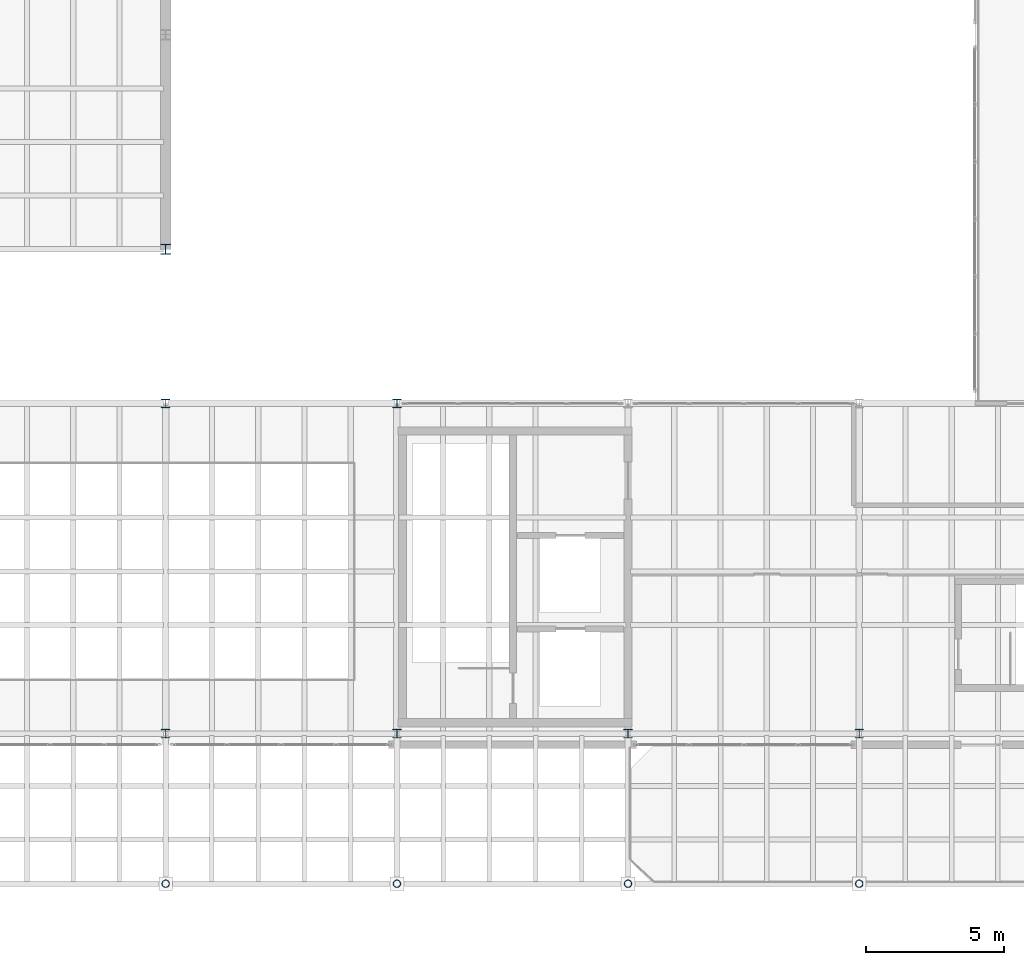
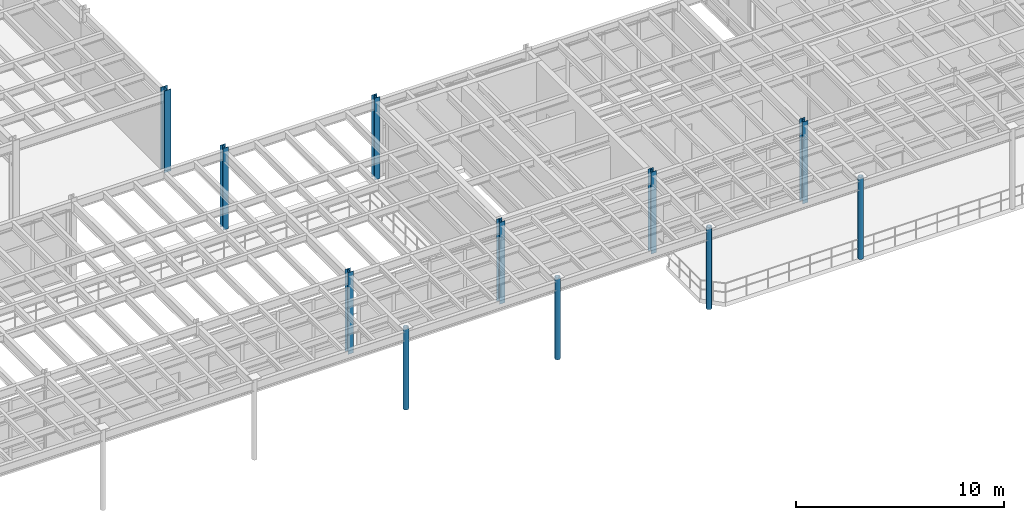
# One storey, part 5 of 105: 11 columns.
"""IFC4 building model written with IfcOpenShell, lengths in metres."""

from ifc_helpers import new_model, si_unit, direction, frame, origin, origin_2d, place, context, subcontext, project, spatial, hollow_circle, i_section, extrude, material, material_profile, profile_set, type_object, element, save


model = new_model("IFC4")

# Units and contexts
model_context = context("Model", 3, precision=1e-05, world=origin(), true_north=direction((0.0, 1.0)))
body_context = subcontext(model_context, "Body", "Model", "MODEL_VIEW")
ifc_project = project(units=[si_unit("LENGTHUNIT", "METRE"), si_unit("AREAUNIT", "SQUARE_METRE"), si_unit("VOLUMEUNIT", "CUBIC_METRE"), si_unit("PLANEANGLEUNIT", "RADIAN"), si_unit("MASSUNIT", "GRAM", prefix="KILO")], contexts=[model_context])

# Site, building, storey
site_placement = place(None, origin())
site = spatial("IfcSite", under=ifc_project, at=site_placement, CompositionType="ELEMENT")
building_placement = place(site_placement, origin())
building = spatial("IfcBuilding", under=site, at=building_placement, Name="Selat Folded Stagehouse", CompositionType="ELEMENT")
storey_placement = place(building_placement, frame((0.0, 0.0, 10.199951171875)))
storey = spatial("IfcBuildingStorey", under=building, at=storey_placement, Name="L02", CompositionType="ELEMENT", Elevation=10.199951171875)

# Columns
ifc_material = material(Name="Steel S355", Category="steel")
ifc_material_profile_1 = material_profile(ifc_material, hollow_circle(Radius=0.136474609375, WallThickness=0.012451171875, at=origin_2d()), Name="CHS 273.0x12.5")
ifc_profile_set_1 = profile_set([ifc_material_profile_1], Name="Steel S355")
column_type_1 = type_object("IfcColumnType", Name="COL-CHS-273x12.5", PredefinedType="COLUMN", material=ifc_profile_set_1)
for number, where, z_axis, x_axis, name in (
    (1, (67.199951171875, 0.35009765625, 0.0), (0.0, 0.0, 1.0), (1.0, 0.0, 0.0), "L02 column STK-COLPOST-67"),
    (2, (75.60009765625, 0.35009765625, 0.0), (0.0, 0.0, 1.0), (1.0, 0.0, 0.0), "L02 column STK-COLPOST-75"),
    (3, (84.0, 0.35009765625, 0.0), (0.0, 0.0, 1.0), (1.0, 0.0, 0.0), "L02 column STK-COLPOST-84"),
    (4, (92.39990234375, 0.35009765625, 0.0), (0.0, 0.0, 1.0), (1.0, 0.0, 0.0), "L02 column STK-COLPOST-92"),
):
    element("IfcColumn", number, at=place(storey_placement, frame(where, z_axis=z_axis, x_axis=x_axis)), inside=storey, type_object=column_type_1, Name=name, PredefinedType="COLUMN", context=body_context, shape_type="SweptSolid", body=[
        extrude(hollow_circle(Radius=0.136474609375, WallThickness=0.012451171875, at=origin_2d()), origin(), (0.0, 0.0, 1.0), 4.800048828125),
    ])
ifc_material_profile_2 = material_profile(ifc_material, i_section(OverallWidth=0.305419921875, OverallDepth=0.307861328125, WebThickness=0.010009765625, FlangeThickness=0.015380859375, FilletRadius=0.01513671875, at=origin_2d()), Name="UKC 305x305x97")
ifc_profile_set_2 = profile_set([ifc_material_profile_2], Name="Steel S355")
column_type_2 = type_object("IfcColumnType", Name="COL-UKC-305x305x97", PredefinedType="COLUMN", material=ifc_profile_set_2)
for number, where, z_axis, x_axis, name in (
    (5, (67.199951171875, 5.800048828125, 0.0), (0.0, 0.0, 1.0), (1.0, 0.0, 0.0), "L02 column STK-V5-67-58"),
    (6, (67.199951171875, 17.800048828125, 0.0), (0.0, 0.0, 1.0), (1.0, 0.0, 0.0), "L02 column STK-V5-67-178"),
    (7, (75.60009765625, 5.800048828125, 0.0), (0.0, 0.0, 1.0), (1.0, 0.0, 0.0), "L02 column STK-V5-75-58"),
    (8, (75.60009765625, 17.800048828125, 0.0), (0.0, 0.0, 1.0), (1.0, 0.0, 0.0), "L02 column STK-V5-75-178"),
    (9, (84.0, 5.800048828125, 0.0), (0.0, 0.0, 1.0), (1.0, 0.0, 0.0), "L02 column STK-V5-84-58"),
    (10, (92.39990234375, 5.800048828125, 0.0), (0.0, 0.0, 1.0), (1.0, 0.0, 0.0), "L02 column STK-V5-92-58"),
):
    element("IfcColumn", number, at=place(storey_placement, frame(where, z_axis=z_axis, x_axis=x_axis)), inside=storey, type_object=column_type_2, Name=name, PredefinedType="COLUMN", context=body_context, shape_type="SweptSolid", body=[
        extrude(i_section(OverallWidth=0.305419921875, OverallDepth=0.307861328125, WebThickness=0.010009765625, FlangeThickness=0.015380859375, FilletRadius=0.01513671875, at=origin_2d()), origin(), (0.0, 0.0, 1.0), 4.800048828125),
    ])
ifc_material_profile_3 = material_profile(ifc_material, i_section(OverallWidth=0.37255859375, OverallDepth=0.3681640625, WebThickness=0.014404296875, FlangeThickness=0.023681640625, FilletRadius=0.01513671875, at=origin_2d()), Name="UKC 356x368x177")
ifc_profile_set_3 = profile_set([ifc_material_profile_3], Name="Steel S355")
column_type_3 = type_object("IfcColumnType", Name="COL-UKC-356x368x177", PredefinedType="COLUMN", material=ifc_profile_set_3)
column_placement = place(storey_placement, frame((67.199951171875, 23.39990234375, 0.0), z_axis=(0.0, 0.0, 1.0), x_axis=(1.0, 0.0, 0.0)))
element("IfcColumn", 11, at=column_placement, inside=storey, type_object=column_type_3, Name="L02 column STK-V2-21", PredefinedType="COLUMN", context=body_context, shape_type="SweptSolid", body=[
    extrude(i_section(OverallWidth=0.37255859375, OverallDepth=0.3681640625, WebThickness=0.014404296875, FlangeThickness=0.023681640625, FilletRadius=0.01513671875, at=origin_2d()), origin(), (0.0, 0.0, 1.0), 4.800048828125),
])

save(model, "model.ifc")
